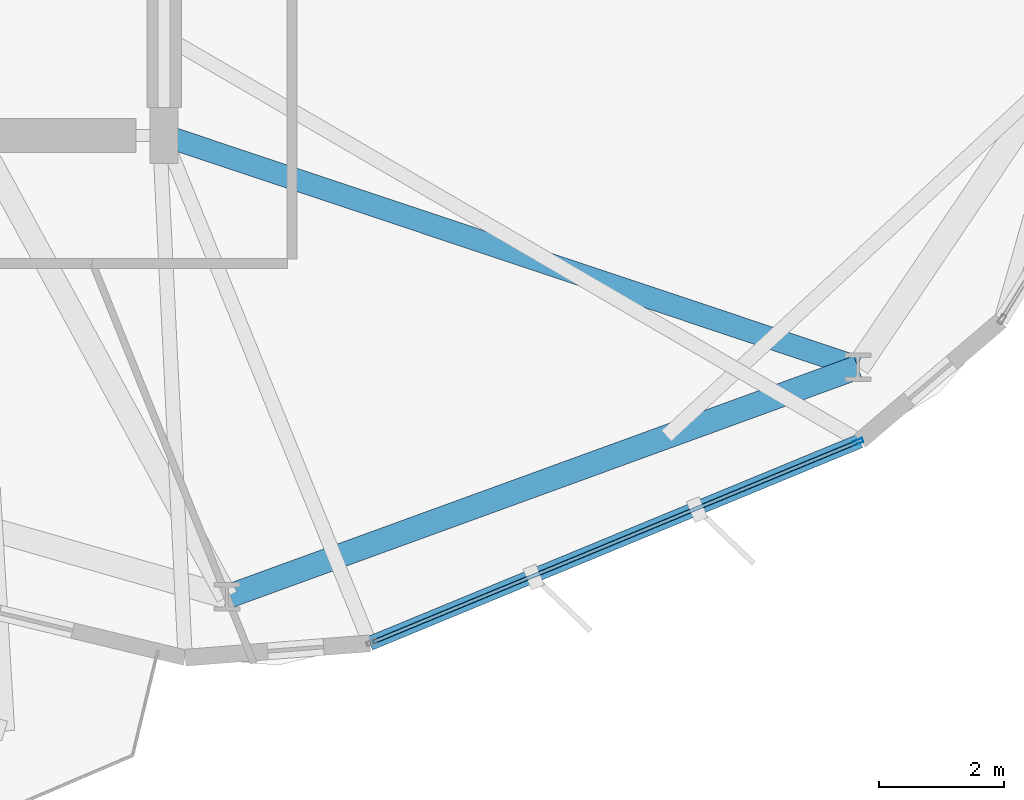
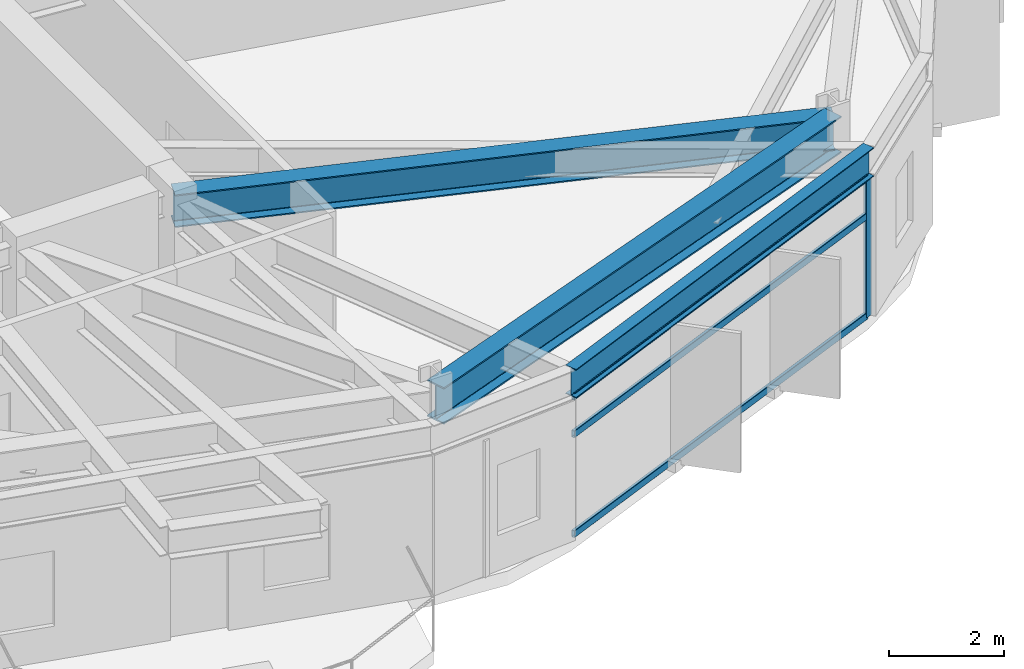
# One storey, part 5 of 21: 4 members, 3 beams, 1 element without a shape of its own.
"""IFC4 building model written with IfcOpenShell, lengths in metres."""

from ifc_helpers import new_model, si_unit, direction, frame, origin, origin_2d, place, context, subcontext, project, spatial, hollow_rectangle, i_section, extrude, material, layer, layer_set, material_profile, profile_set, type_object, element, aggregate, save


model = new_model("IFC4")

# Units and contexts
model_context = context("Model", 3, precision=1e-05, world=origin(), true_north=direction((0.0, 1.0)))
body_context = subcontext(model_context, "Body", "Model", "MODEL_VIEW")
ifc_project = project(units=[si_unit("LENGTHUNIT", "METRE"), si_unit("AREAUNIT", "SQUARE_METRE"), si_unit("VOLUMEUNIT", "CUBIC_METRE"), si_unit("PLANEANGLEUNIT", "RADIAN"), si_unit("MASSUNIT", "GRAM", prefix="KILO")], contexts=[model_context])

# Site, building, storey
site_placement = place(None, origin())
site = spatial("IfcSite", under=ifc_project, at=site_placement, CompositionType="ELEMENT")
building_placement = place(site_placement, origin())
building = spatial("IfcBuilding", under=site, at=building_placement, Name="Soratama Intermodal Tower", CompositionType="ELEMENT")
storey_placement = place(building_placement, frame((0.0, 0.0, 114.699951171875)))
storey = spatial("IfcBuildingStorey", under=building, at=storey_placement, Name="L27", CompositionType="ELEMENT", Elevation=114.699951171875)

# Beams
ifc_material_1 = material(Name="Structural steel ASTM A992 Grade 50", Category="steel")
ifc_material_profile_1 = material_profile(ifc_material_1, i_section(OverallWidth=0.35498046875, OverallDepth=0.695068359375, WebThickness=0.015380859375, FlangeThickness=0.02490234375, FilletRadius=0.01611328125, at=origin_2d()), Name="W27X146")
ifc_profile_set_1 = profile_set([ifc_material_profile_1], Name="Structural steel ASTM A992 Grade 50")
beam_type_1 = type_object("IfcBeamType", Name="BM-RING-W27X146", PredefinedType="BEAM", material=ifc_profile_set_1)
beam_1_placement = place(storey_placement, frame((44.60009765625, 15.0, 3.25244140625), z_axis=(0.948503923169, -0.316765382787, 0.0), x_axis=(0.316765382787, 0.948503923169, 0.0)))
element("IfcBeam", 1, at=beam_1_placement, inside=storey, type_object=beam_type_1, Name="BM-L27-RAD-09", PredefinedType="BEAM", context=body_context, shape_type="SweptSolid", body=[
    extrude(i_section(OverallWidth=0.35498046875, OverallDepth=0.695068359375, WebThickness=0.015380859375, FlangeThickness=0.02490234375, FilletRadius=0.01611328125, at=origin_2d()), origin(), (0.0, 0.0, 1.0), 11.715087890625),
])
ifc_material_2 = material(Name="Structural steel ASTM A992 Grade 50", Category="steel")
ifc_material_profile_2 = material_profile(ifc_material_2, i_section(OverallWidth=0.382080078125, OverallDepth=0.779052734375, WebThickness=0.01806640625, FlangeThickness=0.030029296875, FilletRadius=0.01806640625, at=origin_2d()), Name="W30X191")
ifc_profile_set_2 = profile_set([ifc_material_profile_2], Name="Structural steel ASTM A992 Grade 50")
beam_type_2 = type_object("IfcBeamType", Name="BM-RING-W30X191", PredefinedType="BEAM", material=ifc_profile_set_2)
beam_2_placement = place(storey_placement, frame((45.60693359375, 7.611083984375, 3.21044921875), z_axis=(0.939690636038, 0.342025596326, 0.0), x_axis=(-0.342025596326, 0.939690636038, 0.0)))
element("IfcBeam", 2, at=beam_2_placement, inside=storey, type_object=beam_type_2, Name="BM-L27-RING-08", PredefinedType="BEAM", context=body_context, shape_type="SweptSolid", body=[
    extrude(i_section(OverallWidth=0.382080078125, OverallDepth=0.779052734375, WebThickness=0.01806640625, FlangeThickness=0.030029296875, FilletRadius=0.01806640625, at=origin_2d()), origin(), (0.0, 0.0, 1.0), 10.75341796875),
])
ifc_material_3 = material(Name="Structural steel ASTM A992 Grade 50", Category="steel")
ifc_material_profile_3 = material_profile(ifc_material_3, i_section(OverallWidth=0.22900390625, OverallDepth=0.612060546875, WebThickness=0.011962890625, FlangeThickness=0.01953125, FilletRadius=0.012939453125, at=origin_2d()), Name="W24X84")
ifc_profile_set_3 = profile_set([ifc_material_profile_3], Name="Structural steel ASTM A992 Grade 50")
beam_type_3 = type_object("IfcBeamType", Name="BM-SPN-W24X84", PredefinedType="SPANDREL", material=ifc_profile_set_3)
beam_3_placement = place(storey_placement, frame((47.89599609375, 6.865966796875, 3.2939453125), z_axis=(0.924284583223, 0.381704085932, 0.0), x_axis=(-0.381704085932, 0.924284583223, 0.0)))
element("IfcBeam", 3, at=beam_3_placement, inside=storey, type_object=beam_type_3, Name="BS-L27-F08", PredefinedType="SPANDREL", context=body_context, shape_type="SweptSolid", body=[
    extrude(i_section(OverallWidth=0.22900390625, OverallDepth=0.612060546875, WebThickness=0.011962890625, FlangeThickness=0.01953125, FilletRadius=0.012939453125, at=origin_2d()), origin(), (0.0, 0.0, 1.0), 8.49072265625),
])

# Curtain wall, members
ifc_material_4 = material(Name="Double-glazed aluminium curtain wall", Category="aluminium")
ifc_layer = layer(ifc_material_4, 0.159912109375)
ifc_layer_set = layer_set([ifc_layer], Name="Double-glazed aluminium curtain wall")
curtain_wall_type = type_object("IfcCurtainWallType", Name="CW-SYS-3", PredefinedType="NOTDEFINED", material=ifc_layer_set)
curtain_wall_placement = place(storey_placement, origin())
curtain_wall = element("IfcCurtainWall", 4, at=curtain_wall_placement, inside=storey, type_object=curtain_wall_type, Name="L27 Faceted Curtain Wall F08", PredefinedType="NOTDEFINED")
ifc_material_5 = material(Name="Anodised aluminium AA 6063-T6", Category="aluminium")
ifc_material_profile_4 = material_profile(ifc_material_5, hollow_rectangle(XDim=0.070068359375, YDim=0.159912109375, WallThickness=0.0048828125, InnerFilletRadius=0.0048828125, OuterFilletRadius=0.010009765625, at=origin_2d()), Name="CWM160X70X5")
ifc_profile_set_4 = profile_set([ifc_material_profile_4], Name="Anodised aluminium AA 6063-T6")
member_type_1 = type_object("IfcMemberType", Name="MT-CWM-3", PredefinedType="MULLION", material=ifc_profile_set_4)
member_1_placement = place(storey_placement, frame((55.716064453125, 10.095947265625, 0.0), z_axis=(0.0, 0.0, 1.0), x_axis=(-0.3817175043, 0.924279041692, 0.0)))
member_1 = element("IfcMember", 5, at=member_1_placement, type_object=member_type_1, Name="CW-3 mullion 2", PredefinedType="MULLION", context=body_context, shape_type="SweptSolid", body=[
    extrude(hollow_rectangle(XDim=0.070068359375, YDim=0.159912109375, WallThickness=0.0048828125, InnerFilletRadius=0.0048828125, OuterFilletRadius=0.010009765625, at=origin_2d()), origin(), (0.0, 0.0, 1.0), 2.97900390625),
])
ifc_material_6 = material(Name="Anodised aluminium AA 6063-T6", Category="aluminium")
ifc_material_profile_5 = material_profile(ifc_material_6, hollow_rectangle(XDim=0.06494140625, YDim=0.14990234375, WallThickness=0.0048828125, InnerFilletRadius=0.0048828125, OuterFilletRadius=0.010009765625, at=origin_2d()), Name="CWT150X65X5")
ifc_profile_set_5 = profile_set([ifc_material_profile_5], Name="Anodised aluminium AA 6063-T6")
member_type_2 = type_object("IfcMemberType", Name="TT-CWT-1", PredefinedType="USERDEFINED", material=ifc_profile_set_5)
member_2_placement = place(storey_placement, frame((47.951171875, 6.88916015625, 0.030029296875), z_axis=(0.924279546359, 0.381716282312, 0.0), x_axis=(-0.381716282312, 0.924279546359, 0.0)))
member_2 = element("IfcMember", 6, at=member_2_placement, type_object=member_type_2, Name="CW-3 transom 1.1", ObjectType="TRANSOM", PredefinedType="USERDEFINED", context=body_context, shape_type="SweptSolid", body=[
    extrude(hollow_rectangle(XDim=0.06494140625, YDim=0.14990234375, WallThickness=0.0048828125, InnerFilletRadius=0.0048828125, OuterFilletRadius=0.010009765625, at=origin_2d()), origin(), (0.0, 0.0, 1.0), 8.370849609375),
])
member_3_placement = place(storey_placement, frame((47.951171875, 6.88916015625, 2.150146484375), z_axis=(0.924279546359, 0.381716282312, 0.0), x_axis=(-0.381716282312, 0.924279546359, 0.0)))
member_3 = element("IfcMember", 7, at=member_3_placement, type_object=member_type_2, Name="CW-3 transom 1.2", ObjectType="TRANSOM", PredefinedType="USERDEFINED", context=body_context, shape_type="SweptSolid", body=[
    extrude(hollow_rectangle(XDim=0.06494140625, YDim=0.14990234375, WallThickness=0.0048828125, InnerFilletRadius=0.0048828125, OuterFilletRadius=0.010009765625, at=origin_2d()), origin(), (0.0, 0.0, 1.0), 8.370849609375),
])
member_4_placement = place(storey_placement, frame((47.951171875, 6.88916015625, 2.948974609375), z_axis=(0.924279546359, 0.381716282312, 0.0), x_axis=(-0.381716282312, 0.924279546359, 0.0)))
member_4 = element("IfcMember", 8, at=member_4_placement, type_object=member_type_2, Name="CW-3 transom 1.3", ObjectType="TRANSOM", PredefinedType="USERDEFINED", context=body_context, shape_type="SweptSolid", body=[
    extrude(hollow_rectangle(XDim=0.06494140625, YDim=0.14990234375, WallThickness=0.0048828125, InnerFilletRadius=0.0048828125, OuterFilletRadius=0.010009765625, at=origin_2d()), origin(), (0.0, 0.0, 1.0), 8.370849609375),
])
aggregate(curtain_wall, [member_1, member_2, member_3, member_4])

save(model, "model.ifc")
